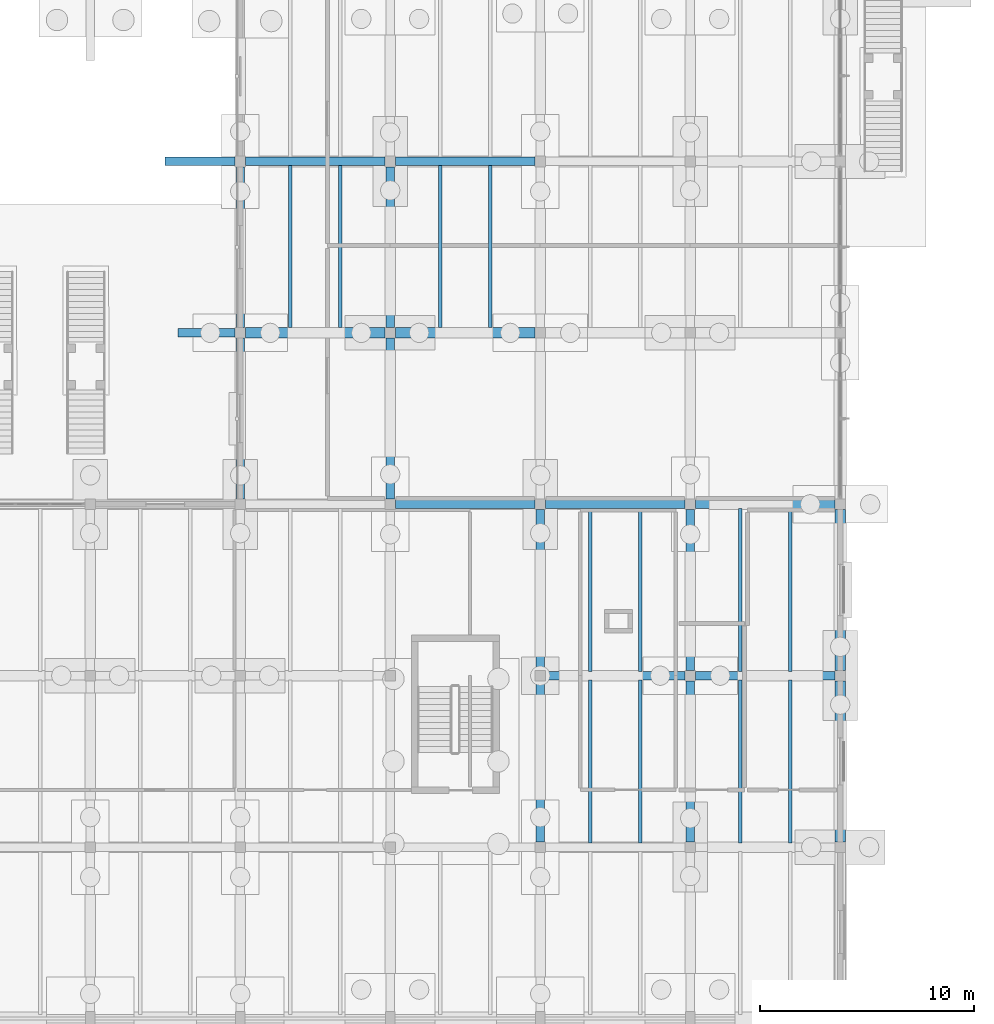
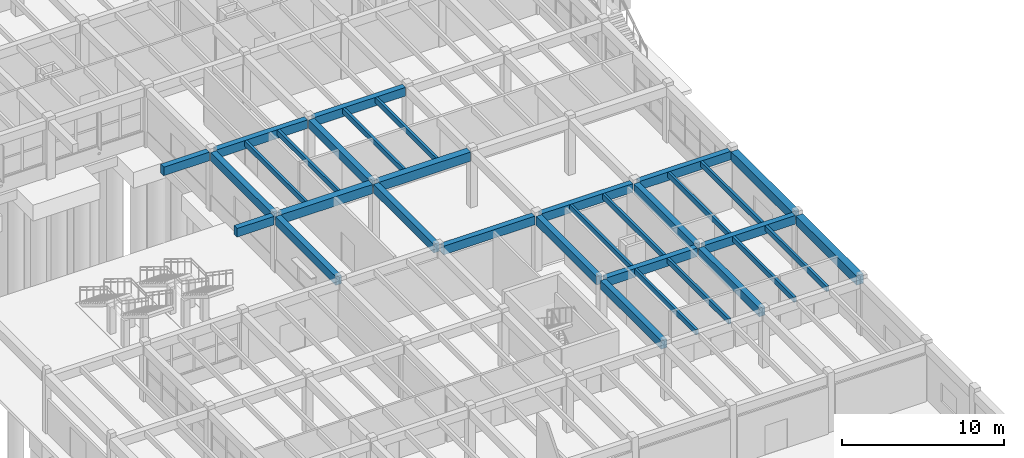
# One storey, part 42 of 99: 33 beams.
"""IFC4 building model written with IfcOpenShell, lengths in metres."""

from ifc_helpers import new_model, si_unit, direction, frame, origin, origin_2d, place, context, subcontext, project, spatial, rectangle, extrude, material, material_profile, profile_set, type_object, element, save


model = new_model("IFC4")

# Units and contexts
model_context = context("Model", 3, precision=1e-05, world=origin(), true_north=direction((0.0, 1.0)))
body_context = subcontext(model_context, "Body", "Model", "MODEL_VIEW")
ifc_project = project(units=[si_unit("LENGTHUNIT", "METRE"), si_unit("AREAUNIT", "SQUARE_METRE"), si_unit("VOLUMEUNIT", "CUBIC_METRE"), si_unit("PLANEANGLEUNIT", "RADIAN"), si_unit("MASSUNIT", "GRAM", prefix="KILO")], contexts=[model_context])

# Site, building, storey
site_placement = place(None, origin())
site = spatial("IfcSite", under=ifc_project, at=site_placement, CompositionType="ELEMENT")
building_placement = place(site_placement, origin())
building = spatial("IfcBuilding", under=site, at=building_placement, Name="Tonlespit Floodbar School", CompositionType="ELEMENT")
storey_placement = place(building_placement, origin())
storey = spatial("IfcBuildingStorey", under=building, at=storey_placement, Name="L00", CompositionType="ELEMENT", Elevation=0.0)

# Beams
ifc_material_1 = material(Name="Concrete C40/50", Category="concrete")
ifc_material_profile_1 = material_profile(ifc_material_1, rectangle(XDim=0.39990234375, YDim=0.64990234375, at=origin_2d()), Name="RC 400x650")
ifc_profile_set_1 = profile_set([ifc_material_profile_1], Name="Concrete C40/50")
beam_type_1 = type_object("IfcBeamType", Name="Beam_RC_400x650", PredefinedType="BEAM", material=ifc_profile_set_1)
for number, where, z_axis, x_axis, name in (
    (1, (162.25, 72.0, 3.889892578125), (1.0, 0.0, 0.0), (0.0, 1.0, 0.0), "L00 girder 0077"),
    (2, (169.25, 72.0, 3.889892578125), (1.0, 0.0, 0.0), (0.0, 1.0, 0.0), "L00 girder 0078"),
    (3, (155.25, 80.0, 3.889892578125), (1.0, 0.0, 0.0), (0.0, 1.0, 0.0), "L00 girder 0088"),
    (4, (162.25, 80.0, 3.889892578125), (1.0, 0.0, 0.0), (0.0, 1.0, 0.0), "L00 girder 0089"),
    (5, (169.25, 80.0, 3.889892578125), (1.0, 0.0, 0.0), (0.0, 1.0, 0.0), "L00 girder 0090"),
    (6, (148.25, 96.0, 3.9150390625), (1.0, 0.0, 0.0), (0.0, 1.0, 0.0), "L00 girder 0120"),
    (7, (155.25, 96.0, 3.9150390625), (1.0, 0.0, 0.0), (0.0, 1.0, 0.0), "L00 girder 0121"),
):
    element("IfcBeam", number, at=place(storey_placement, frame(where, z_axis=z_axis, x_axis=x_axis)), inside=storey, type_object=beam_type_1, Name=name, PredefinedType="BEAM", context=body_context, shape_type="SweptSolid", body=[
        extrude(rectangle(XDim=0.39990234375, YDim=0.64990234375, at=origin_2d()), origin(), (0.0, 0.0, 1.0), 6.5),
    ])
for number, where, z_axis, x_axis, name in (
    (8, (148.0, 80.25, 3.9150390625), (0.0, 1.0, 0.0), (-1.0, 0.0, 0.0), "L00 girder 0285"),
    (9, (148.0, 88.25, 3.9150390625), (0.0, 1.0, 0.0), (-1.0, 0.0, 0.0), "L00 girder 0286"),
    (10, (155.0, 80.25, 3.9150390625), (0.0, 1.0, 0.0), (-1.0, 0.0, 0.0), "L00 girder 0293"),
    (11, (155.0, 88.25, 3.9150390625), (0.0, 1.0, 0.0), (-1.0, 0.0, 0.0), "L00 girder 0294"),
    (12, (162.0, 64.25, 3.889892578125), (0.0, 1.0, 0.0), (-1.0, 0.0, 0.0), "L00 girder 0299"),
    (13, (162.0, 72.25, 3.889892578125), (0.0, 1.0, 0.0), (-1.0, 0.0, 0.0), "L00 girder 0300"),
    (14, (169.0, 64.25, 3.889892578125), (0.0, 1.0, 0.0), (-1.0, 0.0, 0.0), "L00 girder 0307"),
    (15, (169.0, 72.25, 3.889892578125), (0.0, 1.0, 0.0), (-1.0, 0.0, 0.0), "L00 girder 0308"),
):
    element("IfcBeam", number, at=place(storey_placement, frame(where, z_axis=z_axis, x_axis=x_axis)), inside=storey, type_object=beam_type_1, Name=name, PredefinedType="BEAM", context=body_context, shape_type="SweptSolid", body=[
        extrude(rectangle(XDim=0.39990234375, YDim=0.64990234375, at=origin_2d()), origin(), (0.0, 0.0, 1.0), 7.5),
    ])
beam_1_placement = place(storey_placement, frame((147.75, 88.0, 3.930908203125), z_axis=(-1.0, 0.0, 0.0), x_axis=(0.0, -1.0, 0.0)))
element("IfcBeam", 16, at=beam_1_placement, inside=storey, type_object=beam_type_1, Name="L00 V4 west court gallery rib", PredefinedType="BEAM", context=body_context, shape_type="SweptSolid", body=[
    extrude(rectangle(XDim=0.39990234375, YDim=0.64990234375, at=origin_2d()), origin(), (0.0, 0.0, 1.0), 2.64990234375),
])
beam_2_placement = place(storey_placement, frame((147.75, 96.0, 3.930908203125), z_axis=(-1.0, 0.0, 0.0), x_axis=(0.0, -1.0, 0.0)))
element("IfcBeam", 17, at=beam_2_placement, inside=storey, type_object=beam_type_1, Name="L00 V4 west court gallery rib", PredefinedType="BEAM", context=body_context, shape_type="SweptSolid", body=[
    extrude(rectangle(XDim=0.39990234375, YDim=0.64990234375, at=origin_2d()), origin(), (0.0, 0.0, 1.0), 3.26904296875),
])
ifc_material_2 = material(Name="Glulam GL28h", Category="wood")
ifc_material_profile_2 = material_profile(ifc_material_2, rectangle(XDim=0.179931640625, YDim=0.39990234375, at=origin_2d()), Name="GL 180x400")
ifc_profile_set_2 = profile_set([ifc_material_profile_2], Name="Glulam GL28h")
beam_type_2 = type_object("IfcBeamType", Name="Joist_GL_180x400", PredefinedType="JOIST", material=ifc_profile_set_2)
for number, where, z_axis, x_axis, name in (
    (18, (164.333251953125, 64.199951171875, 4.014892578125), (0.0, 1.0, 0.0), (-1.0, 0.0, 0.0), "L00 secondary joist 0432"),
    (19, (166.666748046875, 64.199951171875, 4.014892578125), (0.0, 1.0, 0.0), (-1.0, 0.0, 0.0), "L00 secondary joist 0433"),
    (20, (171.333251953125, 64.199951171875, 4.014892578125), (0.0, 1.0, 0.0), (-1.0, 0.0, 0.0), "L00 secondary joist 0434"),
    (21, (173.666748046875, 64.199951171875, 4.014892578125), (0.0, 1.0, 0.0), (-1.0, 0.0, 0.0), "L00 secondary joist 0435"),
    (22, (164.333251953125, 72.199951171875, 4.014892578125), (0.0, 1.0, 0.0), (-1.0, 0.0, 0.0), "L00 secondary joist 0452"),
    (23, (166.666748046875, 72.199951171875, 4.014892578125), (0.0, 1.0, 0.0), (-1.0, 0.0, 0.0), "L00 secondary joist 0453"),
    (24, (171.333251953125, 72.199951171875, 4.014892578125), (0.0, 1.0, 0.0), (-1.0, 0.0, 0.0), "L00 secondary joist 0454"),
    (25, (173.666748046875, 72.199951171875, 4.014892578125), (0.0, 1.0, 0.0), (-1.0, 0.0, 0.0), "L00 secondary joist 0455"),
):
    element("IfcBeam", number, at=place(storey_placement, frame(where, z_axis=z_axis, x_axis=x_axis)), inside=storey, type_object=beam_type_2, Name=name, PredefinedType="JOIST", context=body_context, shape_type="SweptSolid", body=[
        extrude(rectangle(XDim=0.179931640625, YDim=0.39990234375, at=origin_2d()), origin(), (0.0, 0.0, 1.0), 7.60009765625),
    ])
for number, where, z_axis, x_axis, name in (
    (26, (150.333251953125, 88.25, 4.0400390625), (0.0, 1.0, 0.0), (-1.0, 0.0, 0.0), "L00 secondary joist 0472"),
    (27, (152.666748046875, 88.25, 4.0400390625), (0.0, 1.0, 0.0), (-1.0, 0.0, 0.0), "L00 secondary joist 0473"),
    (28, (157.333251953125, 88.25, 4.0400390625), (0.0, 1.0, 0.0), (-1.0, 0.0, 0.0), "L00 secondary joist 0474"),
    (29, (159.666748046875, 88.25, 4.0400390625), (0.0, 1.0, 0.0), (-1.0, 0.0, 0.0), "L00 secondary joist 0475"),
):
    element("IfcBeam", number, at=place(storey_placement, frame(where, z_axis=z_axis, x_axis=x_axis)), inside=storey, type_object=beam_type_2, Name=name, PredefinedType="JOIST", context=body_context, shape_type="SweptSolid", body=[
        extrude(rectangle(XDim=0.179931640625, YDim=0.39990234375, at=origin_2d()), origin(), (0.0, 0.0, 1.0), 7.550048828125),
    ])
ifc_material_profile_3 = material_profile(ifc_material_1, rectangle(XDim=0.5, YDim=0.699951171875, at=origin_2d()), Name="RC 500x700")
ifc_profile_set_3 = profile_set([ifc_material_profile_3], Name="Concrete C40/50")
beam_type_3 = type_object("IfcBeamType", Name="Spandrel_RC_500x700", PredefinedType="SPANDREL", material=ifc_profile_set_3)
for number, where, z_axis, x_axis, name in (
    (30, (148.25, 88.0, 3.889892578125), (1.0, 0.0, 0.0), (0.0, 1.0, 0.0), "L00 girder 0103"),
    (31, (155.25, 88.0, 3.889892578125), (1.0, 0.0, 0.0), (0.0, 1.0, 0.0), "L00 girder 0104"),
):
    element("IfcBeam", number, at=place(storey_placement, frame(where, z_axis=z_axis, x_axis=x_axis)), inside=storey, type_object=beam_type_3, Name=name, PredefinedType="SPANDREL", context=body_context, shape_type="SweptSolid", body=[
        extrude(rectangle(XDim=0.5, YDim=0.699951171875, at=origin_2d()), origin(), (0.0, 0.0, 1.0), 6.5),
    ])
for number, where, z_axis, x_axis, name in (
    (32, (176.0, 64.25, 3.864990234375), (0.0, 1.0, 0.0), (-1.0, 0.0, 0.0), "L00 girder 0321"),
    (33, (176.0, 72.25, 3.864990234375), (0.0, 1.0, 0.0), (-1.0, 0.0, 0.0), "L00 girder 0322"),
):
    element("IfcBeam", number, at=place(storey_placement, frame(where, z_axis=z_axis, x_axis=x_axis)), inside=storey, type_object=beam_type_3, Name=name, PredefinedType="SPANDREL", context=body_context, shape_type="SweptSolid", body=[
        extrude(rectangle(XDim=0.5, YDim=0.699951171875, at=origin_2d()), origin(), (0.0, 0.0, 1.0), 7.5),
    ])

save(model, "model.ifc")
